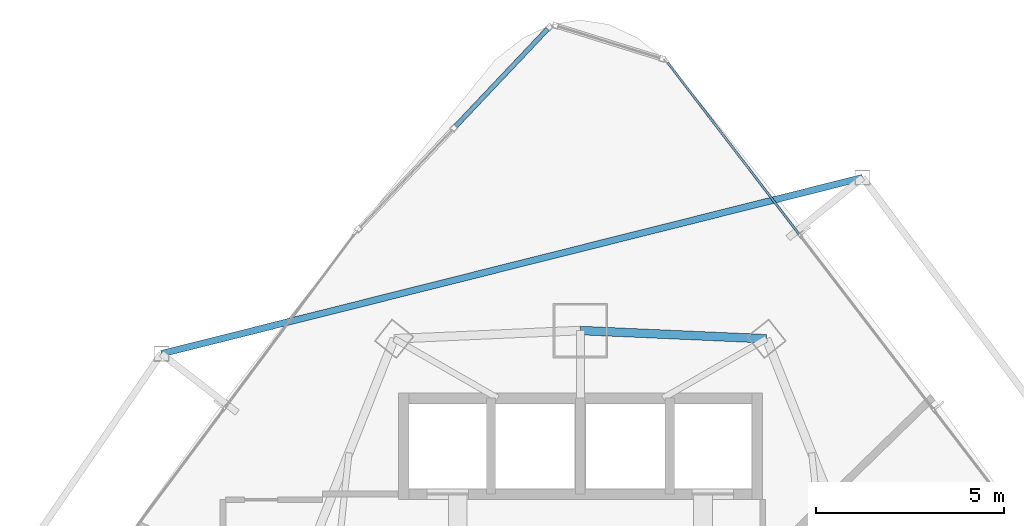
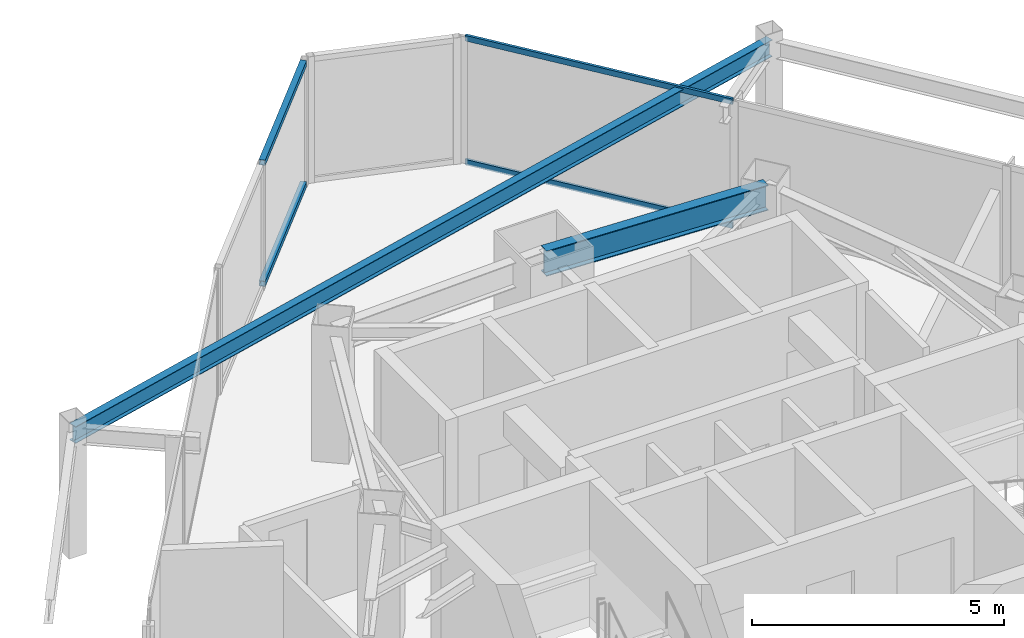
# One storey, part 20 of 31: 4 members, 2 beams, 2 elements without a shape of their own.
"""IFC4 building model written with IfcOpenShell, lengths in metres."""

from ifc_helpers import new_model, si_unit, direction, frame, origin, origin_2d, place, context, subcontext, project, spatial, hollow_rectangle, i_section, extrude, material, layer, layer_set, material_profile, profile_set, type_object, element, aggregate, save


model = new_model("IFC4")

# Units and contexts
model_context = context("Model", 3, precision=1e-05, world=origin(), true_north=direction((0.0, 1.0)))
body_context = subcontext(model_context, "Body", "Model", "MODEL_VIEW")
ifc_project = project(units=[si_unit("LENGTHUNIT", "METRE"), si_unit("AREAUNIT", "SQUARE_METRE"), si_unit("VOLUMEUNIT", "CUBIC_METRE"), si_unit("PLANEANGLEUNIT", "RADIAN"), si_unit("MASSUNIT", "GRAM", prefix="KILO")], contexts=[model_context])

# Site, building, storey
site_placement = place(None, origin())
site = spatial("IfcSite", under=ifc_project, at=site_placement, CompositionType="ELEMENT")
building_placement = place(site_placement, origin())
building = spatial("IfcBuilding", under=site, at=building_placement, Name="Orvanel Arch Residences", CompositionType="ELEMENT")
storey_placement = place(building_placement, frame((0.0, 0.0, 106.699951171875)))
storey = spatial("IfcBuildingStorey", under=building, at=storey_placement, Name="L29", CompositionType="ELEMENT", Elevation=106.699951171875)

# Beams
ifc_material_1 = material(Name="Structural steel AS/NZS 3679.1 Grade 300 (300 MPa)", Category="steel")
ifc_material_profile_1 = material_profile(ifc_material_1, i_section(OverallWidth=0.177978515625, OverallDepth=0.406005859375, WebThickness=0.0078125, FlangeThickness=0.0126953125, at=origin_2d()), Name="410UB59.7")
ifc_profile_set_1 = profile_set([ifc_material_profile_1], Name="Structural steel AS/NZS 3679.1 Grade 300 (300 MPa)")
beam_type_1 = type_object("IfcBeamType", Name="OB-410UB-EXT", PredefinedType="SPANDREL", material=ifc_profile_set_1)
beam_1_placement = place(storey_placement, frame((40.5048828125, 45.4619140625, 2.85693359375), z_axis=(-0.969885704206, -0.243560507426, 0.0), x_axis=(0.243560507426, -0.969885704206, 0.0)))
element("IfcBeam", 1, at=beam_1_placement, inside=storey, type_object=beam_type_1, Name="L29 Outer Perimeter Floor Ring Beam 12", PredefinedType="SPANDREL", context=body_context, shape_type="SweptSolid", body=[
    extrude(i_section(OverallWidth=0.177978515625, OverallDepth=0.406005859375, WebThickness=0.0078125, FlangeThickness=0.0126953125, at=origin_2d()), origin(), (0.0, 0.0, 1.0), 19.22265625),
])
ifc_material_profile_2 = material_profile(ifc_material_1, i_section(OverallWidth=0.22900390625, OverallDepth=0.612060546875, WebThickness=0.011962890625, FlangeThickness=0.01953125, at=origin_2d()), Name="610UB125")
ifc_profile_set_2 = profile_set([ifc_material_profile_2], Name="Structural steel AS/NZS 3679.1 Grade 300 (300 MPa)")
beam_type_2 = type_object("IfcBeamType", Name="SP-610UB", PredefinedType="SPANDREL", material=ifc_profile_set_2)
beam_2_placement = place(storey_placement, frame((37.949951171875, 41.177978515625, 2.754150390625), z_axis=(-0.999014049296, 0.044395149614, 0.0), x_axis=(-0.044395149614, -0.999014049296, 0.0)))
element("IfcBeam", 2, at=beam_2_placement, inside=storey, type_object=beam_type_2, Name="L29 Perimeter Spandrel Beam 14", PredefinedType="SPANDREL", context=body_context, shape_type="SweptSolid", body=[
    extrude(i_section(OverallWidth=0.22900390625, OverallDepth=0.612060546875, WebThickness=0.011962890625, FlangeThickness=0.01953125, at=origin_2d()), origin(), (0.0, 0.0, 1.0), 4.954833984375),
])

# Curtain wall, members
ifc_material_2 = material(Name="Bronze-anodised aluminium AA6063-T6", Category="aluminium")
ifc_layer_1 = layer(ifc_material_2, 0.18994140625)
ifc_layer_set_1 = layer_set([ifc_layer_1], Name="Bronze-anodised aluminium AA6063-T6")
curtain_wall_type_1 = type_object("IfcCurtainWallType", Name="CW5-CRN-SYS", PredefinedType="NOTDEFINED", material=ifc_layer_set_1)
curtain_wall_1_placement = place(storey_placement, origin())
curtain_wall_1 = element("IfcCurtainWall", 3, at=curtain_wall_1_placement, inside=storey, type_object=curtain_wall_type_1, Name="L29 CW5-CRN-SYS Unitised Curtain Wall", PredefinedType="NOTDEFINED")
ifc_material_profile_3 = material_profile(ifc_material_2, hollow_rectangle(XDim=0.1298828125, YDim=0.1298828125, WallThickness=0.00439453125, at=origin_2d()), Name="ALU130x130x4.5")
ifc_profile_set_3 = profile_set([ifc_material_profile_3], Name="Bronze-anodised aluminium AA6063-T6")
member_type_1 = type_object("IfcMemberType", Name="TRN-130x130", PredefinedType="USERDEFINED", material=ifc_profile_set_3)
member_1_placement = place(storey_placement, frame((32.1279296875, 49.412109375, 0.06494140625), z_axis=(-0.687148803875, -0.726516704097, 0.0), x_axis=(0.726516704097, -0.687148803875, 0.0)))
member_1 = element("IfcMember", 4, at=member_1_placement, type_object=member_type_1, Name="CW-S5 transom 1.1", ObjectType="TRANSOM", PredefinedType="USERDEFINED", context=body_context, shape_type="SweptSolid", body=[
    extrude(hollow_rectangle(XDim=0.1298828125, YDim=0.1298828125, WallThickness=0.00439453125, at=origin_2d()), origin(), (0.0, 0.0, 1.0), 3.54736328125),
])
member_2_placement = place(storey_placement, frame((32.1279296875, 49.412109375, 2.9951171875), z_axis=(-0.687148803875, -0.726516704097, 0.0), x_axis=(0.726516704097, -0.687148803875, 0.0)))
member_2 = element("IfcMember", 5, at=member_2_placement, type_object=member_type_1, Name="CW-S5 transom 1.2", ObjectType="TRANSOM", PredefinedType="USERDEFINED", context=body_context, shape_type="SweptSolid", body=[
    extrude(hollow_rectangle(XDim=0.1298828125, YDim=0.1298828125, WallThickness=0.00439453125, at=origin_2d()), origin(), (0.0, 0.0, 1.0), 3.54736328125),
])
aggregate(curtain_wall_1, [member_1, member_2])

ifc_layer_2 = layer(ifc_material_2, 0.179931640625)
ifc_layer_set_2 = layer_set([ifc_layer_2], Name="Bronze-anodised aluminium AA6063-T6")
curtain_wall_type_2 = type_object("IfcCurtainWallType", Name="CW3-MID-SYS", PredefinedType="NOTDEFINED", material=ifc_layer_set_2)
curtain_wall_2_placement = place(storey_placement, origin())
curtain_wall_2 = element("IfcCurtainWall", 6, at=curtain_wall_2_placement, inside=storey, type_object=curtain_wall_type_2, Name="L29 CW3-MID-SYS Unitised Curtain Wall", PredefinedType="NOTDEFINED")
ifc_material_profile_4 = material_profile(ifc_material_2, hollow_rectangle(XDim=0.06005859375, YDim=0.135009765625, WallThickness=0.00390625, at=origin_2d()), Name="ALU135x60x4")
ifc_profile_set_4 = profile_set([ifc_material_profile_4], Name="Bronze-anodised aluminium AA6063-T6")
member_type_2 = type_object("IfcMemberType", Name="TRN-135x60", PredefinedType="USERDEFINED", material=ifc_profile_set_4)
member_3_placement = place(storey_placement, frame((38.811767578125, 43.96435546875, 0.030029296875), z_axis=(-0.607901289978, 0.794012607987, 0.0), x_axis=(-0.794012607987, -0.607901289978, 0.0)))
member_3 = element("IfcMember", 7, at=member_3_placement, type_object=member_type_2, Name="CW-S3 transom 3.1", ObjectType="TRANSOM", PredefinedType="USERDEFINED", context=body_context, shape_type="SweptSolid", body=[
    extrude(hollow_rectangle(XDim=0.06005859375, YDim=0.135009765625, WallThickness=0.00390625, at=origin_2d()), origin(), (0.0, 0.0, 1.0), 5.7431640625),
])
member_4_placement = place(storey_placement, frame((38.811767578125, 43.96435546875, 3.030029296875), z_axis=(-0.607901289978, 0.794012607987, 0.0), x_axis=(-0.794012607987, -0.607901289978, 0.0)))
member_4 = element("IfcMember", 8, at=member_4_placement, type_object=member_type_2, Name="CW-S3 transom 3.2", ObjectType="TRANSOM", PredefinedType="USERDEFINED", context=body_context, shape_type="SweptSolid", body=[
    extrude(hollow_rectangle(XDim=0.06005859375, YDim=0.135009765625, WallThickness=0.00390625, at=origin_2d()), origin(), (0.0, 0.0, 1.0), 5.7431640625),
])
aggregate(curtain_wall_2, [member_3, member_4])

save(model, "model.ifc")
